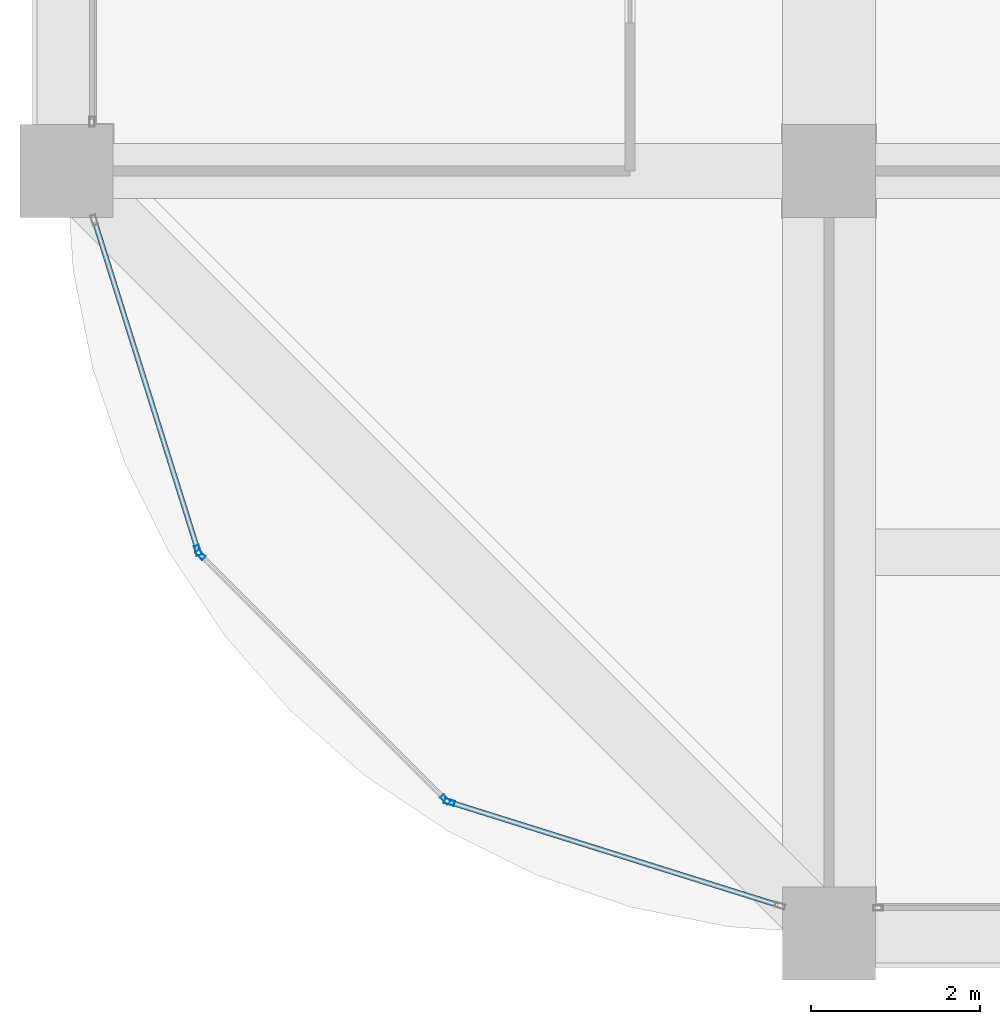
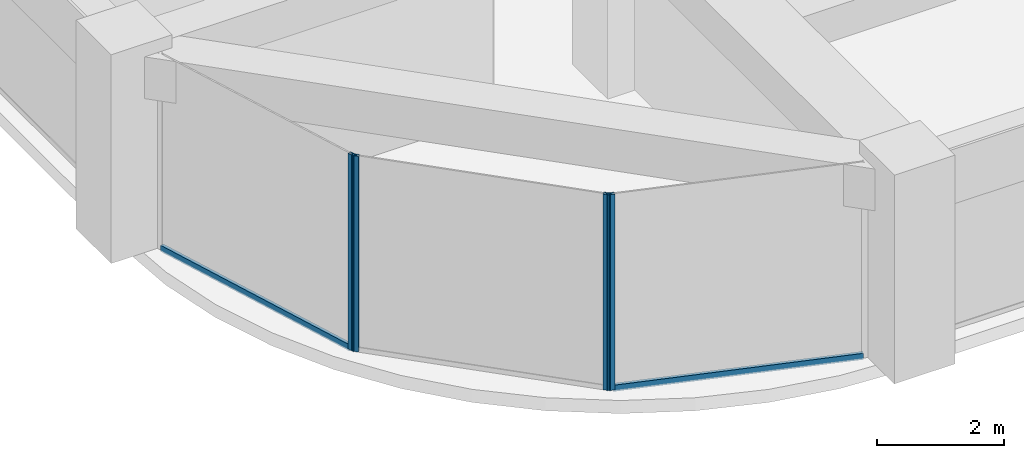
# One storey, part 2 of 45: 6 members, 3 elements without a shape of their own.
"""IFC4 building model written with IfcOpenShell, lengths in metres."""

import ifcopenshell
import ifcopenshell.guid

model = None  # the IFC model being written
_history = None  # IfcOwnerHistory: only IFC2X3 demands one
_inside = {}  # id of a spatial element -> (the spatial element, [elements in it])
_under = {}  # id of a project, library or spatial element -> (it, [spatial elements below it])
_declared = {}  # id of a project -> (the project, [libraries it declares])
_typed = {}  # id of a type object -> (the type object, [elements of that type])
_made_of = {}  # id of a material, layer set ... -> (it, [elements and type objects made of it])


def new_model(schema):
    """Start an empty IFC model of exactly this schema.

    Asked for "IFC4X3", IfcOpenShell would pick the latest addendum, in which some entities
    have other attributes; the version numbers below select the first issue.
    IFC2X3 requires an IfcOwnerHistory on every rooted entity: one is made here for all.
    """
    global model, _history
    if schema == "IFC4X3":
        model = ifcopenshell.file(schema_version=(4, 3, 0, 0))
    else:
        model = ifcopenshell.file(schema=schema)
    _inside.clear()
    _under.clear()
    _declared.clear()
    _typed.clear()
    _made_of.clear()
    _history = None
    if model.schema == "IFC2X3":
        org = make("IfcOrganization", Name="unknown")
        user = make(
            "IfcPersonAndOrganization",
            ThePerson=make("IfcPerson", FamilyName="unknown"),
            TheOrganization=org,
        )
        app = make(
            "IfcApplication",
            ApplicationDeveloper=org,
            Version="unknown",
            ApplicationFullName="unknown",
            ApplicationIdentifier="unknown",
        )
        _history = make(
            "IfcOwnerHistory",
            OwningUser=user,
            OwningApplication=app,
            ChangeAction="ADDED",
            CreationDate=0,
        )
    return model


def make(cls, **values):
    """One entity of the class cls with the attributes given. An attribute that is None is left unset."""
    return model.create_entity(
        cls, **{name: value for name, value in values.items() if value is not None}
    )


def rooted(cls, **values):
    """An entity with a GlobalId (a new one), such as an element, a storey or a relation."""
    return make(cls, GlobalId=ifcopenshell.guid.new(), OwnerHistory=_history, **values)


def si_unit(unit_type, name, prefix=None):
    """IfcSIUnit, for example si_unit("LENGTHUNIT", "METRE", prefix="MILLI")."""
    return make("IfcSIUnit", UnitType=unit_type, Prefix=prefix, Name=name)


def assignment(units):
    """IfcUnitAssignment: the units of a project."""
    return None if units is None else make("IfcUnitAssignment", Units=units)


def point(xyz):
    """IfcCartesianPoint."""
    return None if xyz is None else make("IfcCartesianPoint", Coordinates=xyz)


def direction(xyz):
    """IfcDirection."""
    return None if xyz is None else make("IfcDirection", DirectionRatios=xyz)


def frame(location, z_axis=None, x_axis=None):
    """IfcAxis2Placement3D, a coordinate frame: its origin and axes. An axis left out is left unset."""
    return make(
        "IfcAxis2Placement3D",
        Location=point(location),
        Axis=direction(z_axis),
        RefDirection=direction(x_axis),
    )


def frame_2d(location, x_axis=None):
    """IfcAxis2Placement2D, a coordinate frame in the plane: its origin and x axis."""
    return make(
        "IfcAxis2Placement2D", Location=point(location), RefDirection=direction(x_axis)
    )


def origin():
    """The frame at (0, 0, 0) with its axes left unset."""
    return frame((0.0, 0.0, 0.0))


def origin_2d():
    """The frame at (0, 0) in the plane with its x axis left unset."""
    return frame_2d((0.0, 0.0))


def place(relative_to, where):
    """IfcLocalPlacement: puts the frame where relative to a parent placement (None: the world)."""
    return make(
        "IfcLocalPlacement", PlacementRelTo=relative_to, RelativePlacement=where
    )


def context(
    kind, dimensions, precision=None, world=None, true_north=None, identifier=None
):
    """IfcGeometricRepresentationContext, for example the 3D "Model" context."""
    return make(
        "IfcGeometricRepresentationContext",
        ContextIdentifier=identifier,
        ContextType=kind,
        CoordinateSpaceDimension=dimensions,
        Precision=precision,
        WorldCoordinateSystem=world,
        TrueNorth=true_north,
    )


def subcontext(parent, identifier, kind, view, scale=None):
    """IfcGeometricRepresentationSubContext, for example "Body" below "Model"."""
    return make(
        "IfcGeometricRepresentationSubContext",
        ContextIdentifier=identifier,
        ContextType=kind,
        ParentContext=parent,
        TargetScale=scale,
        TargetView=view,
    )


def project(units=None, contexts=None):
    """IfcProject with its units and contexts."""
    return rooted(
        "IfcProject",
        Name="project",
        RepresentationContexts=contexts,
        UnitsInContext=assignment(units),
    )


def spatial(cls, under=None, at=None, **own):
    """A site, building, storey or space (cls), placed at a placement, below another one or the project."""
    s = rooted(cls, ObjectPlacement=at, **own)
    if under is not None:
        _under.setdefault(under.id(), (under, []))[1].append(s)
    return s


def profile(cls, at=None, kind="AREA", **sizes):
    """A parametric profile (cls). Its sizes go by their IFC names, for example OverallWidth=200.0."""
    return make(cls, ProfileType=kind, Position=at, **sizes)


def hollow_rectangle(**sizes):
    """IfcRectangleHollowProfileDef."""
    return profile("IfcRectangleHollowProfileDef", **sizes)


def extrude(swept, where, along, depth):
    """IfcExtrudedAreaSolid: the profile swept, set in the frame where, extruded along a direction by depth."""
    return make(
        "IfcExtrudedAreaSolid",
        SweptArea=swept,
        Position=where,
        ExtrudedDirection=direction(along),
        Depth=depth,
    )


def shape(context_of_items, identifier, shape_type, items):
    """IfcShapeRepresentation: the items that make up one representation, for example the "Body"."""
    return make(
        "IfcShapeRepresentation",
        ContextOfItems=context_of_items,
        RepresentationIdentifier=identifier,
        RepresentationType=shape_type,
        Items=items,
    )


def material(Name=None, Category=None):
    """IfcMaterial."""
    return make("IfcMaterial", Name=Name, Category=Category)


def material_profile(
    of_material, cross_section, Name=None, Category=None, Priority=None
):
    """IfcMaterialProfile: a cross section and its material."""
    return make(
        "IfcMaterialProfile",
        Name=Name,
        Material=of_material,
        Profile=cross_section,
        Priority=Priority,
        Category=Category,
    )


def profile_set(profiles, Name=None, composite=None):
    """IfcMaterialProfileSet."""
    return make(
        "IfcMaterialProfileSet",
        Name=Name,
        MaterialProfiles=profiles,
        CompositeProfile=composite,
    )


def made_of(thing, what):
    """Note that an element or type object is made of a material, layer set ...; save() writes the relation."""
    if what is not None:
        _made_of.setdefault(what.id(), (what, []))[1].append(thing)
    return thing


def type_object(cls, material=None, **own):
    """A type object (cls), such as IfcWallType, which elements share."""
    return made_of(rooted(cls, **own), material)


def element(
    cls,
    number,
    at=None,
    inside=None,
    cuts=None,
    type_object=None,
    material=None,
    context=None,
    identifier="Body",
    shape_type=None,
    held_by="IfcProductDefinitionShape",
    body=None,
    shapes=None,
    **own,
):
    """One element of the class cls, such as IfcWall. Its Tag is "e" and its number.

    at: its placement. inside: the storey or other place that contains it. cuts: it is an
    opening in that element (IfcRelVoidsElement). A single representation is given by context,
    identifier, shape_type and body (its items); several are given by shapes. held_by: the class
    of the entity that holds the representations. save() writes the other relations.
    """
    e = rooted(cls, Tag="e%d" % number, ObjectPlacement=at, **own)
    if body is not None:
        shapes = [shape(context, identifier, shape_type, body)]
    if shapes is not None:
        e.Representation = make(held_by, Representations=shapes)
    if inside is not None:
        _inside.setdefault(inside.id(), (inside, []))[1].append(e)
    if cuts is not None:
        rooted(
            "IfcRelVoidsElement", RelatingBuildingElement=cuts, RelatedOpeningElement=e
        )
    if type_object is not None:
        _typed.setdefault(type_object.id(), (type_object, []))[1].append(e)
    return made_of(e, material)


def aggregate(whole, parts):
    """IfcRelAggregates: a whole, such as a stair, and the parts it consists of."""
    return rooted("IfcRelAggregates", RelatingObject=whole, RelatedObjects=parts)


def save(model, path):
    """Write the relations noted so far, then the file.

    IfcRelAggregates (storeys below a building ...), IfcRelContainedInSpatialStructure (elements
    in a storey), IfcRelDefinesByType, IfcRelAssociatesMaterial and IfcRelDeclares: one each for
    every whole, place, type object, material and project.
    """
    for whole, parts in _under.values():
        aggregate(whole, parts)
    for where, things in _inside.values():
        rooted(
            "IfcRelContainedInSpatialStructure",
            RelatedElements=things,
            RelatingStructure=where,
        )
    for kind, things in _typed.values():
        rooted("IfcRelDefinesByType", RelatedObjects=things, RelatingType=kind)
    for what, things in _made_of.values():
        rooted("IfcRelAssociatesMaterial", RelatedObjects=things, RelatingMaterial=what)
    for by, libraries in _declared.values():
        rooted("IfcRelDeclares", RelatingContext=by, RelatedDefinitions=libraries)
    model.write(path)


model = new_model("IFC4")

# Units and contexts
model_context = context("Model", 3, precision=1e-05, world=origin(), true_north=direction((0.0, 1.0)))
body_context = subcontext(model_context, "Body", "Model", "MODEL_VIEW")
ifc_project = project(units=[si_unit("LENGTHUNIT", "METRE"), si_unit("AREAUNIT", "SQUARE_METRE"), si_unit("VOLUMEUNIT", "CUBIC_METRE"), si_unit("PLANEANGLEUNIT", "RADIAN"), si_unit("MASSUNIT", "GRAM", prefix="KILO")], contexts=[model_context])

# Site, building, storey
site_placement = place(None, origin())
site = spatial("IfcSite", under=ifc_project, at=site_placement, CompositionType="ELEMENT")
building_placement = place(site_placement, origin())
building = spatial("IfcBuilding", under=site, at=building_placement, Name="Zorevar Civic Tower", CompositionType="ELEMENT")
storey_placement = place(building_placement, frame((0.0, 0.0, 291.39990234375)))
storey = spatial("IfcBuildingStorey", under=building, at=storey_placement, Name="L71", CompositionType="ELEMENT", Elevation=291.39990234375)

# Curtain wall, member
ifc_material_1 = material(Name="Dark grey solar-control glass in black aluminium frame", Category="aluminium")
curtain_wall_type = type_object("IfcCurtainWallType", Name="Curtain wall CW5 top zone", PredefinedType="NOTDEFINED", material=ifc_material_1)
curtain_wall_1_placement = place(storey_placement, origin())
curtain_wall_1 = element("IfcCurtainWall", 1, at=curtain_wall_1_placement, inside=storey, type_object=curtain_wall_type, Name="CW5 L71", PredefinedType="NOTDEFINED")
ifc_material_2 = material(Name="Aluminium, black anodised", Category="aluminium")
ifc_material_profile_1 = material_profile(ifc_material_2, hollow_rectangle(XDim=0.06005859375, YDim=0.1201171875, WallThickness=0.0029296875, at=origin_2d()), Name="AL 120x60x3")
ifc_profile_set_1 = profile_set([ifc_material_profile_1], Name="Aluminium, black anodised")
member_type_1 = type_object("IfcMemberType", Name="CW5 mullion AL 120x60x3", PredefinedType="MULLION", material=ifc_profile_set_1)
member_1_placement = place(storey_placement, frame((10.550048828125, 4.520751953125, 0.0), z_axis=(0.0, 0.0, 1.0), x_axis=(0.954153437674, 0.299317920238, 0.0)))
member_1 = element("IfcMember", 2, at=member_1_placement, type_object=member_type_1, Name="CW5 mullion 2", PredefinedType="MULLION", context=body_context, shape_type="SweptSolid", body=[
    extrude(hollow_rectangle(XDim=0.06005859375, YDim=0.1201171875, WallThickness=0.0029296875, at=origin_2d()), origin(), (0.0, 0.0, 1.0), 3.75),
])

# Curtain wall, members
curtain_wall_2_placement = place(storey_placement, origin())
curtain_wall_2 = element("IfcCurtainWall", 3, at=curtain_wall_2_placement, inside=storey, type_object=curtain_wall_type, Name="CW5 L71", PredefinedType="NOTDEFINED")
member_2_placement = place(storey_placement, frame((10.580322265625, 4.470947265625, 0.0), z_axis=(0.0, 0.0, 1.0), x_axis=(0.707106781187, 0.707106781187, 0.0)))
member_2 = element("IfcMember", 4, at=member_2_placement, type_object=member_type_1, Name="CW5 mullion 1", PredefinedType="MULLION", context=body_context, shape_type="SweptSolid", body=[
    extrude(hollow_rectangle(XDim=0.06005859375, YDim=0.1201171875, WallThickness=0.0029296875, at=origin_2d()), origin(), (0.0, 0.0, 1.0), 3.75),
])
member_3_placement = place(storey_placement, frame((13.470947265625, 1.580322265625, 0.0), z_axis=(0.0, 0.0, 1.0), x_axis=(0.707106781187, 0.707106781187, 0.0)))
member_3 = element("IfcMember", 5, at=member_3_placement, type_object=member_type_1, Name="CW5 mullion 2", PredefinedType="MULLION", context=body_context, shape_type="SweptSolid", body=[
    extrude(hollow_rectangle(XDim=0.06005859375, YDim=0.1201171875, WallThickness=0.0029296875, at=origin_2d()), origin(), (0.0, 0.0, 1.0), 3.75),
])
aggregate(curtain_wall_2, [member_2, member_3])

# Curtain wall, member
curtain_wall_3_placement = place(storey_placement, origin())
curtain_wall_3 = element("IfcCurtainWall", 6, at=curtain_wall_3_placement, inside=storey, type_object=curtain_wall_type, Name="CW5 L71", PredefinedType="NOTDEFINED")
member_4_placement = place(storey_placement, frame((13.520751953125, 1.550048828125, 0.0), z_axis=(0.0, 0.0, 1.0), x_axis=(0.299317920238, 0.954153437674, 0.0)))
member_4 = element("IfcMember", 7, at=member_4_placement, type_object=member_type_1, Name="CW5 mullion 1", PredefinedType="MULLION", context=body_context, shape_type="SweptSolid", body=[
    extrude(hollow_rectangle(XDim=0.06005859375, YDim=0.1201171875, WallThickness=0.0029296875, at=origin_2d()), origin(), (0.0, 0.0, 1.0), 3.75),
])

# Member
ifc_material_3 = material(Name="Aluminium, black anodised", Category="aluminium")
ifc_material_profile_2 = material_profile(ifc_material_3, hollow_rectangle(XDim=0.06005859375, YDim=0.1201171875, WallThickness=0.0029296875, at=origin_2d()), Name="AL 120x60x3")
ifc_profile_set_2 = profile_set([ifc_material_profile_2], Name="Aluminium, black anodised")
member_type_2 = type_object("IfcMemberType", Name="CW5 transom AL 120x60x3", PredefinedType="USERDEFINED", material=ifc_profile_set_2)
member_5_placement = place(storey_placement, frame((9.33544921875, 8.392822265625, 0.030029296875), z_axis=(0.299285978047, -0.954163457351, 0.0), x_axis=(0.954163457351, 0.299285978047, 0.0)))
member_5 = element("IfcMember", 8, at=member_5_placement, type_object=member_type_2, Name="CW5 sill transom", ObjectType="TRANSOM", PredefinedType="USERDEFINED", context=body_context, shape_type="SweptSolid", body=[
    extrude(hollow_rectangle(XDim=0.06005859375, YDim=0.1201171875, WallThickness=0.0029296875, at=origin_2d()), origin(), (0.0, 0.0, 1.0), 4.028076171875),
])

aggregate(curtain_wall_1, [member_1, member_5])

member_6_placement = place(storey_placement, frame((13.54931640625, 1.541015625, 0.030029296875), z_axis=(0.954163457351, -0.299285978047, 0.0), x_axis=(0.299285978047, 0.954163457351, 0.0)))
member_6 = element("IfcMember", 9, at=member_6_placement, type_object=member_type_2, Name="CW5 sill transom", ObjectType="TRANSOM", PredefinedType="USERDEFINED", context=body_context, shape_type="SweptSolid", body=[
    extrude(hollow_rectangle(XDim=0.06005859375, YDim=0.1201171875, WallThickness=0.0029296875, at=origin_2d()), origin(), (0.0, 0.0, 1.0), 4.028076171875),
])

aggregate(curtain_wall_3, [member_4, member_6])

save(model, "model.ifc")
